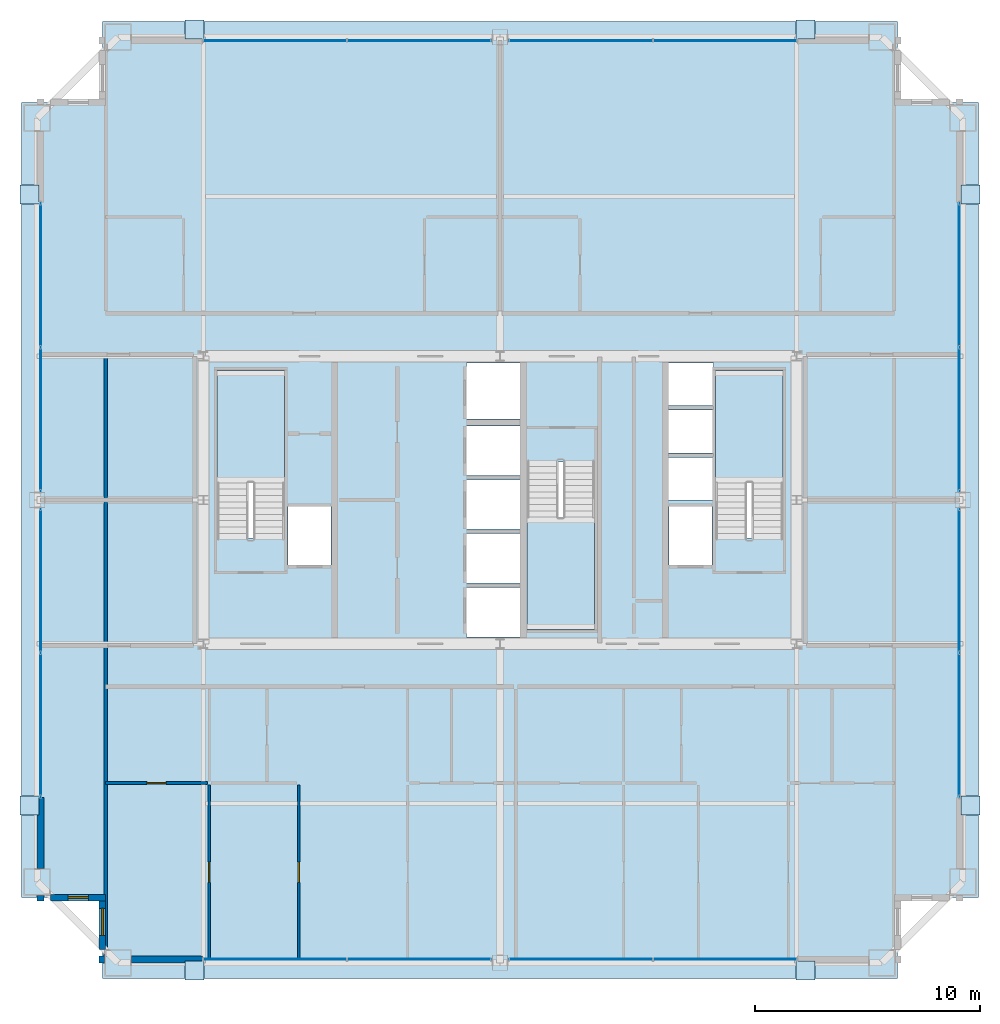
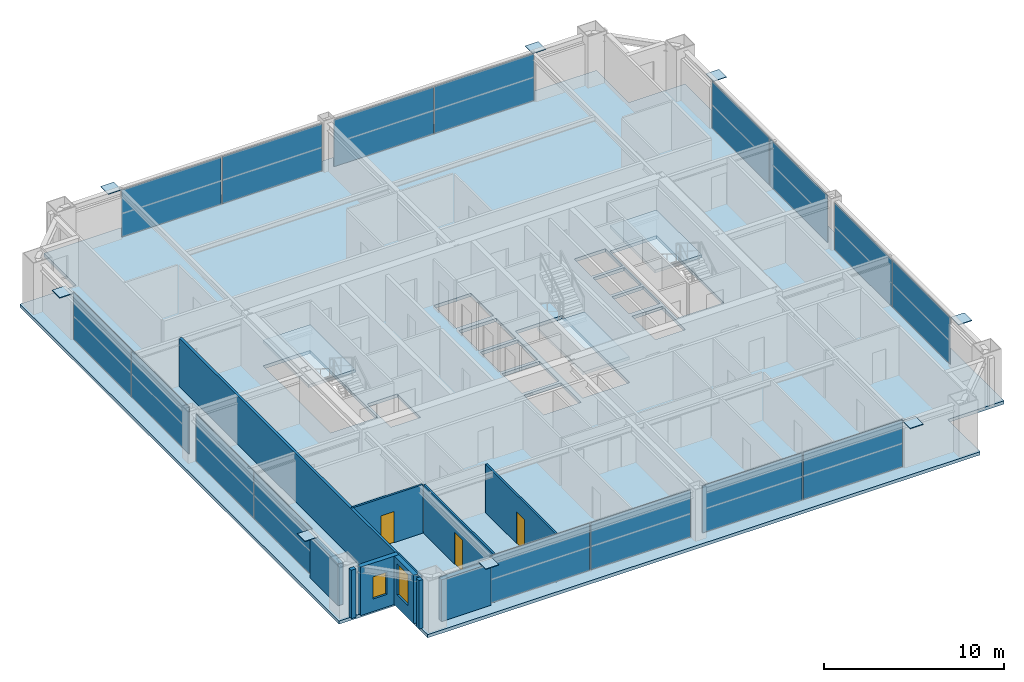
# One storey, part 31 of 36: 24 plates, 10 walls, 4 slabs, 3 doors, 2 windows, 5 openings, 11 elements without a shape of their own.
"""IFC4 building model written with IfcOpenShell, lengths in metres."""

from ifc_helpers import new_model, si_unit, direction, frame, frame_2d, origin, origin_2d, place, context, subcontext, project, spatial, polyline, rectangle, outline, extrude, source, transform, mapped, material, layer, layer_set, type_object, element, fill, aggregate, save


model = new_model("IFC4")

# Units and contexts
model_context = context("Model", 3, precision=1e-05, world=origin(), true_north=direction((0.0, 1.0)))
body_context = subcontext(model_context, "Body", "Model", "MODEL_VIEW")
ifc_project = project(units=[si_unit("LENGTHUNIT", "METRE"), si_unit("AREAUNIT", "SQUARE_METRE"), si_unit("VOLUMEUNIT", "CUBIC_METRE"), si_unit("PLANEANGLEUNIT", "RADIAN"), si_unit("MASSUNIT", "GRAM", prefix="KILO"), si_unit("THERMODYNAMICTEMPERATUREUNIT", "KELVIN"), si_unit("POWERUNIT", "WATT")], contexts=[model_context])

# Site, building, storey
site_placement = place(None, origin())
site = spatial("IfcSite", under=ifc_project, at=site_placement, CompositionType="ELEMENT")
building_placement = place(site_placement, origin())
building = spatial("IfcBuilding", under=site, at=building_placement, Name="Yuzanri Waterfront Tower", CompositionType="ELEMENT")
storey_placement = place(building_placement, frame((0.0, 0.0, 231.10009765625)))
storey = spatial("IfcBuildingStorey", under=building, at=storey_placement, Name="L61", CompositionType="ELEMENT", Elevation=231.10009765625)

# Stair, slab
ifc_material_1 = material(Name="Concrete C40", Category="concrete")
stair_type = type_object("IfcStairType", Name="Concrete C40 Core Dogleg Exit Stair", PredefinedType="HALF_TURN_STAIR", material=ifc_material_1)
stair_1_placement = place(storey_placement, origin())
stair_1 = element("IfcStair", 1, at=stair_1_placement, inside=storey, type_object=stair_type, Name="L61 Smoke-Proof Core Stair ST-01", PredefinedType="HALF_TURN_STAIR")
ifc_material_2 = material(Name="Concrete C40", Category="concrete")
ifc_layer_1 = layer(ifc_material_2, 0.179931640625)
ifc_layer_set_1 = layer_set([ifc_layer_1], Name="Concrete C40")
slab_type_1 = type_object("IfcSlabType", Name="Concrete C40 Stair Half-Landing Slab 180", PredefinedType="LANDING", material=ifc_layer_set_1)
slab_1_placement = place(storey_placement, frame((0.0, 0.0, 1.5498046875)))
slab_1 = element("IfcSlab", 2, at=slab_1_placement, type_object=slab_type_1, Name="ST-01 landing 1", PredefinedType="LANDING", context=body_context, shape_type="SweptSolid", body=[
    extrude(outline(polyline([(27.39990234375, 26.56005859375), (27.39990234375, 31.580078125), (24.39990234375, 31.580078125), (24.39990234375, 26.56005859375), (27.39990234375, 26.56005859375)])), origin(), (0.0, 0.0, 1.0), 0.2001953125),
])
aggregate(stair_1, [slab_1])

stair_2_placement = place(storey_placement, origin())
stair_2 = element("IfcStair", 3, at=stair_2_placement, inside=storey, type_object=stair_type, Name="L61 Smoke-Proof Core Stair ST-02", PredefinedType="HALF_TURN_STAIR")
slab_2_placement = place(storey_placement, frame((0.0, 0.0, 1.5498046875)))
slab_2 = element("IfcSlab", 4, at=slab_2_placement, type_object=slab_type_1, Name="ST-02 landing 1", PredefinedType="LANDING", context=body_context, shape_type="SweptSolid", body=[
    extrude(outline(polyline([(49.60009765625, 26.56005859375), (49.60009765625, 31.580078125), (46.60009765625, 31.580078125), (46.60009765625, 26.56005859375), (49.60009765625, 26.56005859375)])), origin(), (0.0, 0.0, 1.0), 0.2001953125),
])
aggregate(stair_2, [slab_2])

stair_3_placement = place(storey_placement, origin())
stair_3 = element("IfcStair", 5, at=stair_3_placement, inside=storey, type_object=stair_type, Name="L61 Smoke-Proof Core Stair ST-03", PredefinedType="HALF_TURN_STAIR")
slab_3_placement = place(storey_placement, frame((0.0, 0.0, 1.5498046875)))
slab_3 = element("IfcSlab", 6, at=slab_3_placement, type_object=slab_type_1, Name="ST-03 landing 1", PredefinedType="LANDING", context=body_context, shape_type="SweptSolid", body=[
    extrude(outline(polyline([(38.199951171875, 25.0400390625), (38.199951171875, 20.02001953125), (41.199951171875, 20.02001953125), (41.199951171875, 25.0400390625), (38.199951171875, 25.0400390625)])), origin(), (0.0, 0.0, 1.0), 0.2001953125),
])
aggregate(stair_3, [slab_3])

# Slab
ifc_material_3 = material(Name="Concrete C40", Category="concrete")
ifc_layer_2 = layer(ifc_material_3, 0.219970703125)
ifc_layer_set_2 = layer_set([ifc_layer_2], Name="Concrete C40")
slab_type_2 = type_object("IfcSlabType", Name="Concrete C40 Tower Typical Structural Floor Slab 220", PredefinedType="FLOOR", material=ifc_layer_set_2)
slab_4_placement = place(storey_placement, frame((0.0, 0.0, -0.22021484375)))
element("IfcSlab", 7, at=slab_4_placement, inside=storey, type_object=slab_type_2, Name="L61 Main Structural Floor Slab", PredefinedType="FLOOR", context=body_context, shape_type="SweptSolid", body=[
    extrude(outline(polyline([(19.300048828125, 4.5), (54.699951171875, 4.5), (54.699951171875, 8.10009765625), (58.300048828125, 8.10009765625), (58.300048828125, 43.5), (54.699951171875, 43.5), (54.699951171875, 47.10009765625), (19.300048828125, 47.10009765625), (19.300048828125, 43.5), (15.699951171875, 43.5), (15.699951171875, 8.10009765625), (19.300048828125, 8.10009765625), (19.300048828125, 4.5)]), holes=[polyline([(27.39990234375, 24.10009765625), (27.39990234375, 31.580078125), (24.39990234375, 31.580078125), (24.39990234375, 24.10009765625), (27.39990234375, 24.10009765625)]), polyline([(49.60009765625, 24.10009765625), (49.60009765625, 31.580078125), (46.60009765625, 31.580078125), (46.60009765625, 24.10009765625), (49.60009765625, 24.10009765625)]), polyline([(38.199951171875, 27.5), (38.199951171875, 20.02001953125), (41.199951171875, 20.02001953125), (41.199951171875, 27.5), (38.199951171875, 27.5)]), polyline([(27.56005859375, 22.89990234375), (29.47998046875, 22.89990234375), (29.47998046875, 25.5), (27.56005859375, 25.5), (27.56005859375, 22.89990234375)]), polyline([(44.52001953125, 22.89990234375), (46.43994140625, 22.89990234375), (46.43994140625, 25.5), (44.52001953125, 25.5), (44.52001953125, 22.89990234375)]), polyline([(35.5, 19.699951171875), (37.89990234375, 19.699951171875), (37.89990234375, 21.89990234375), (35.5, 21.89990234375), (35.5, 19.699951171875)]), polyline([(35.5, 22.10009765625), (37.89990234375, 22.10009765625), (37.89990234375, 24.300048828125), (35.5, 24.300048828125), (35.5, 22.10009765625)]), polyline([(35.5, 24.5), (37.89990234375, 24.5), (37.89990234375, 26.699951171875), (35.5, 26.699951171875), (35.5, 24.5)]), polyline([(35.5, 26.89990234375), (37.89990234375, 26.89990234375), (37.89990234375, 29.10009765625), (35.5, 29.10009765625), (35.5, 26.89990234375)]), polyline([(35.5, 29.39990234375), (37.89990234375, 29.39990234375), (37.89990234375, 31.89990234375), (35.5, 31.89990234375), (35.5, 29.39990234375)]), polyline([(44.5, 25.800048828125), (46.5, 25.800048828125), (46.5, 27.699951171875), (44.5, 27.699951171875), (44.5, 25.800048828125)]), polyline([(44.5, 27.89990234375), (46.5, 27.89990234375), (46.5, 29.800048828125), (44.5, 29.800048828125), (44.5, 27.89990234375)]), polyline([(44.5, 30.0), (46.5, 30.0), (46.5, 31.89990234375), (44.5, 31.89990234375), (44.5, 30.0)])]), origin(), (0.0, 0.0, 1.0), 0.22021484375),
])

# Plates
ifc_material_4 = material(Name="Steel Q420GJC", Category="steel")
ifc_layer_3 = layer(ifc_material_4, 0.0400390625)
ifc_layer_set_3 = layer_set([ifc_layer_3], Name="Steel Q420GJC")
plate_type_1 = type_object("IfcPlateType", Name="Steel Q420GJC Mega-Brace Gusset and End-Cap Plate 40", PredefinedType="SHEET", material=ifc_layer_set_3)
shared_shape_1 = source(origin(), body_context, "Body", "SweptSolid", [
    extrude(rectangle(XDim=0.85009765625, YDim=0.85009765625, at=origin_2d()), origin(), (0.0, 0.0, 1.0), 0.0400390625),
])
for number, where, z_axis, x_axis, name in (
    (8, (23.39990234375, 4.860107421875, 3.159912109375), (0.0, 0.0, 1.0), (1.0, 0.0, 0.0), "L61 Mega-Brace Apex Cap Plate S-L"),
    (9, (50.60009765625, 4.860107421875, 3.159912109375), (0.0, 0.0, 1.0), (1.0, 0.0, 0.0), "L61 Mega-Brace Apex Cap Plate S-R"),
    (10, (23.39990234375, 46.739990234375, 3.159912109375), (0.0, 0.0, 1.0), (1.0, 0.0, 0.0), "L61 Mega-Brace Apex Cap Plate N-L"),
    (11, (50.60009765625, 46.739990234375, 3.159912109375), (0.0, 0.0, 1.0), (1.0, 0.0, 0.0), "L61 Mega-Brace Apex Cap Plate N-R"),
    (12, (16.06005859375, 12.199951171875, 3.159912109375), (0.0, 0.0, 1.0), (1.0, 0.0, 0.0), "L61 Mega-Brace Apex Cap Plate W-L"),
    (13, (16.06005859375, 39.39990234375, 3.159912109375), (0.0, 0.0, 1.0), (1.0, 0.0, 0.0), "L61 Mega-Brace Apex Cap Plate W-R"),
    (14, (57.93994140625, 12.199951171875, 3.159912109375), (0.0, 0.0, 1.0), (1.0, 0.0, 0.0), "L61 Mega-Brace Apex Cap Plate E-L"),
    (15, (57.93994140625, 39.39990234375, 3.159912109375), (0.0, 0.0, 1.0), (1.0, 0.0, 0.0), "L61 Mega-Brace Apex Cap Plate E-R"),
):
    element("IfcPlate", number, at=place(storey_placement, frame(where, z_axis=z_axis, x_axis=x_axis)), inside=storey, type_object=plate_type_1, Name=name, PredefinedType="SHEET", context=body_context, shape_type="MappedRepresentation", body=[
        mapped(shared_shape_1, transform((0.0, 0.0, 0.0), scale=1.0)),
    ])

# Curtain wall, plates
ifc_material_5 = material(Name="Anodized Architectural Bronze", Category="metal")
ifc_layer_4 = layer(ifc_material_5, 0.159912109375)
ifc_layer_set_4 = layer_set([ifc_layer_4], Name="Anodized Architectural Bronze")
curtain_wall_type = type_object("IfcCurtainWallType", Name="Anodized Bronze Mid-Rise Residential Acoustic Unitized Curtain Wall 7200", PredefinedType="NOTDEFINED", material=ifc_layer_set_4)
curtain_wall_1_placement = place(storey_placement, origin())
curtain_wall_1 = element("IfcCurtainWall", 16, at=curtain_wall_1_placement, inside=storey, type_object=curtain_wall_type, Name="L61 Curtain Wall CW-L61-SL", PredefinedType="NOTDEFINED")
ifc_material_6 = material(Name="Triple Low-E Laminated Insulated Glass", Category="glass")
ifc_layer_5 = layer(ifc_material_6, 0.0439453125)
ifc_layer_set_5 = layer_set([ifc_layer_5], Name="Triple Low-E Laminated Insulated Glass")
plate_type_2 = type_object("IfcPlateType", Name="Triple Glazed Acoustic Vision Glass Panel 44", PredefinedType="CURTAIN_PANEL", material=ifc_layer_set_5)
shared_shape_2 = source(origin(), body_context, "Body", "SweptSolid", [
    extrude(rectangle(XDim=6.3701171875, YDim=0.0439453125, at=origin_2d()), origin(), (0.0, 0.0, 1.0), 3.179931640625),
])
plate_1_placement = place(storey_placement, frame((26.97509765625, 5.35009765625, 0.0498046875), z_axis=(0.0, 0.0, 1.0), x_axis=(1.0, 0.0, 0.0)))
plate_1 = element("IfcPlate", 17, at=plate_1_placement, type_object=plate_type_2, Name="CW-L61-SL Vision Glass Panel 01", PredefinedType="CURTAIN_PANEL", context=body_context, shape_type="MappedRepresentation", body=[
    mapped(shared_shape_2, transform((0.0, 0.0, 0.0), scale=1.0)),
])
plate_2_placement = place(storey_placement, frame((33.425048828125, 5.35009765625, 0.0498046875), z_axis=(0.0, 0.0, 1.0), x_axis=(1.0, 0.0, 0.0)))
plate_2 = element("IfcPlate", 18, at=plate_2_placement, type_object=plate_type_2, Name="CW-L61-SL Vision Glass Panel 02", PredefinedType="CURTAIN_PANEL", context=body_context, shape_type="MappedRepresentation", body=[
    mapped(shared_shape_2, transform((0.0, 0.0, 0.0), scale=1.0)),
])
aggregate(curtain_wall_1, [plate_1, plate_2])

curtain_wall_2_placement = place(storey_placement, origin())
curtain_wall_2 = element("IfcCurtainWall", 19, at=curtain_wall_2_placement, inside=storey, type_object=curtain_wall_type, Name="L61 Curtain Wall CW-L61-SR", PredefinedType="NOTDEFINED")
plate_3_placement = place(storey_placement, frame((40.574951171875, 5.35009765625, 0.0498046875), z_axis=(0.0, 0.0, 1.0), x_axis=(1.0, 0.0, 0.0)))
plate_3 = element("IfcPlate", 20, at=plate_3_placement, type_object=plate_type_2, Name="CW-L61-SR Vision Glass Panel 01", PredefinedType="CURTAIN_PANEL", context=body_context, shape_type="MappedRepresentation", body=[
    mapped(shared_shape_2, transform((0.0, 0.0, 0.0), scale=1.0)),
])
plate_4_placement = place(storey_placement, frame((47.02490234375, 5.35009765625, 0.0498046875), z_axis=(0.0, 0.0, 1.0), x_axis=(1.0, 0.0, 0.0)))
plate_4 = element("IfcPlate", 21, at=plate_4_placement, type_object=plate_type_2, Name="CW-L61-SR Vision Glass Panel 02", PredefinedType="CURTAIN_PANEL", context=body_context, shape_type="MappedRepresentation", body=[
    mapped(shared_shape_2, transform((0.0, 0.0, 0.0), scale=1.0)),
])
aggregate(curtain_wall_2, [plate_3, plate_4])

curtain_wall_3_placement = place(storey_placement, origin())
curtain_wall_3 = element("IfcCurtainWall", 22, at=curtain_wall_3_placement, inside=storey, type_object=curtain_wall_type, Name="L61 Curtain Wall CW-L61-NL", PredefinedType="NOTDEFINED")
plate_5_placement = place(storey_placement, frame((26.97509765625, 46.25, 0.0498046875), z_axis=(0.0, 0.0, 1.0), x_axis=(1.0, 0.0, 0.0)))
plate_5 = element("IfcPlate", 23, at=plate_5_placement, type_object=plate_type_2, Name="CW-L61-NL Vision Glass Panel 01", PredefinedType="CURTAIN_PANEL", context=body_context, shape_type="MappedRepresentation", body=[
    mapped(shared_shape_2, transform((0.0, 0.0, 0.0), scale=1.0)),
])
plate_6_placement = place(storey_placement, frame((33.425048828125, 46.25, 0.0498046875), z_axis=(0.0, 0.0, 1.0), x_axis=(1.0, 0.0, 0.0)))
plate_6 = element("IfcPlate", 24, at=plate_6_placement, type_object=plate_type_2, Name="CW-L61-NL Vision Glass Panel 02", PredefinedType="CURTAIN_PANEL", context=body_context, shape_type="MappedRepresentation", body=[
    mapped(shared_shape_2, transform((0.0, 0.0, 0.0), scale=1.0)),
])
aggregate(curtain_wall_3, [plate_5, plate_6])

curtain_wall_4_placement = place(storey_placement, origin())
curtain_wall_4 = element("IfcCurtainWall", 25, at=curtain_wall_4_placement, inside=storey, type_object=curtain_wall_type, Name="L61 Curtain Wall CW-L61-NR", PredefinedType="NOTDEFINED")
plate_7_placement = place(storey_placement, frame((40.574951171875, 46.25, 0.0498046875), z_axis=(0.0, 0.0, 1.0), x_axis=(1.0, 0.0, 0.0)))
plate_7 = element("IfcPlate", 26, at=plate_7_placement, type_object=plate_type_2, Name="CW-L61-NR Vision Glass Panel 01", PredefinedType="CURTAIN_PANEL", context=body_context, shape_type="MappedRepresentation", body=[
    mapped(shared_shape_2, transform((0.0, 0.0, 0.0), scale=1.0)),
])
plate_8_placement = place(storey_placement, frame((47.02490234375, 46.25, 0.0498046875), z_axis=(0.0, 0.0, 1.0), x_axis=(1.0, 0.0, 0.0)))
plate_8 = element("IfcPlate", 27, at=plate_8_placement, type_object=plate_type_2, Name="CW-L61-NR Vision Glass Panel 02", PredefinedType="CURTAIN_PANEL", context=body_context, shape_type="MappedRepresentation", body=[
    mapped(shared_shape_2, transform((0.0, 0.0, 0.0), scale=1.0)),
])
aggregate(curtain_wall_4, [plate_7, plate_8])

curtain_wall_5_placement = place(storey_placement, origin())
curtain_wall_5 = element("IfcCurtainWall", 28, at=curtain_wall_5_placement, inside=storey, type_object=curtain_wall_type, Name="L61 Curtain Wall CW-L61-WL", PredefinedType="NOTDEFINED")
plate_9_placement = place(storey_placement, frame((16.550048828125, 15.77490234375, 0.0498046875), z_axis=(0.0, 0.0, 1.0), x_axis=(0.0, 1.0, 0.0)))
plate_9 = element("IfcPlate", 29, at=plate_9_placement, type_object=plate_type_2, Name="CW-L61-WL Vision Glass Panel 01", PredefinedType="CURTAIN_PANEL", context=body_context, shape_type="MappedRepresentation", body=[
    mapped(shared_shape_2, transform((0.0, 0.0, 0.0), scale=1.0)),
])
plate_10_placement = place(storey_placement, frame((16.550048828125, 22.22509765625, 0.0498046875), z_axis=(0.0, 0.0, 1.0), x_axis=(0.0, 1.0, 0.0)))
plate_10 = element("IfcPlate", 30, at=plate_10_placement, type_object=plate_type_2, Name="CW-L61-WL Vision Glass Panel 02", PredefinedType="CURTAIN_PANEL", context=body_context, shape_type="MappedRepresentation", body=[
    mapped(shared_shape_2, transform((0.0, 0.0, 0.0), scale=1.0)),
])
aggregate(curtain_wall_5, [plate_9, plate_10])

curtain_wall_6_placement = place(storey_placement, origin())
curtain_wall_6 = element("IfcCurtainWall", 31, at=curtain_wall_6_placement, inside=storey, type_object=curtain_wall_type, Name="L61 Curtain Wall CW-L61-WR", PredefinedType="NOTDEFINED")
plate_11_placement = place(storey_placement, frame((16.550048828125, 29.375, 0.0498046875), z_axis=(0.0, 0.0, 1.0), x_axis=(0.0, 1.0, 0.0)))
plate_11 = element("IfcPlate", 32, at=plate_11_placement, type_object=plate_type_2, Name="CW-L61-WR Vision Glass Panel 01", PredefinedType="CURTAIN_PANEL", context=body_context, shape_type="MappedRepresentation", body=[
    mapped(shared_shape_2, transform((0.0, 0.0, 0.0), scale=1.0)),
])
plate_12_placement = place(storey_placement, frame((16.550048828125, 35.824951171875, 0.0498046875), z_axis=(0.0, 0.0, 1.0), x_axis=(0.0, 1.0, 0.0)))
plate_12 = element("IfcPlate", 33, at=plate_12_placement, type_object=plate_type_2, Name="CW-L61-WR Vision Glass Panel 02", PredefinedType="CURTAIN_PANEL", context=body_context, shape_type="MappedRepresentation", body=[
    mapped(shared_shape_2, transform((0.0, 0.0, 0.0), scale=1.0)),
])
aggregate(curtain_wall_6, [plate_11, plate_12])

curtain_wall_7_placement = place(storey_placement, origin())
curtain_wall_7 = element("IfcCurtainWall", 34, at=curtain_wall_7_placement, inside=storey, type_object=curtain_wall_type, Name="L61 Curtain Wall CW-L61-EL", PredefinedType="NOTDEFINED")
plate_13_placement = place(storey_placement, frame((57.449951171875, 15.77490234375, 0.0498046875), z_axis=(0.0, 0.0, 1.0), x_axis=(0.0, 1.0, 0.0)))
plate_13 = element("IfcPlate", 35, at=plate_13_placement, type_object=plate_type_2, Name="CW-L61-EL Vision Glass Panel 01", PredefinedType="CURTAIN_PANEL", context=body_context, shape_type="MappedRepresentation", body=[
    mapped(shared_shape_2, transform((0.0, 0.0, 0.0), scale=1.0)),
])
plate_14_placement = place(storey_placement, frame((57.449951171875, 22.22509765625, 0.0498046875), z_axis=(0.0, 0.0, 1.0), x_axis=(0.0, 1.0, 0.0)))
plate_14 = element("IfcPlate", 36, at=plate_14_placement, type_object=plate_type_2, Name="CW-L61-EL Vision Glass Panel 02", PredefinedType="CURTAIN_PANEL", context=body_context, shape_type="MappedRepresentation", body=[
    mapped(shared_shape_2, transform((0.0, 0.0, 0.0), scale=1.0)),
])
aggregate(curtain_wall_7, [plate_13, plate_14])

curtain_wall_8_placement = place(storey_placement, origin())
curtain_wall_8 = element("IfcCurtainWall", 37, at=curtain_wall_8_placement, inside=storey, type_object=curtain_wall_type, Name="L61 Curtain Wall CW-L61-ER", PredefinedType="NOTDEFINED")
plate_15_placement = place(storey_placement, frame((57.449951171875, 29.375, 0.0498046875), z_axis=(0.0, 0.0, 1.0), x_axis=(0.0, 1.0, 0.0)))
plate_15 = element("IfcPlate", 38, at=plate_15_placement, type_object=plate_type_2, Name="CW-L61-ER Vision Glass Panel 01", PredefinedType="CURTAIN_PANEL", context=body_context, shape_type="MappedRepresentation", body=[
    mapped(shared_shape_2, transform((0.0, 0.0, 0.0), scale=1.0)),
])
plate_16_placement = place(storey_placement, frame((57.449951171875, 35.824951171875, 0.0498046875), z_axis=(0.0, 0.0, 1.0), x_axis=(0.0, 1.0, 0.0)))
plate_16 = element("IfcPlate", 39, at=plate_16_placement, type_object=plate_type_2, Name="CW-L61-ER Vision Glass Panel 02", PredefinedType="CURTAIN_PANEL", context=body_context, shape_type="MappedRepresentation", body=[
    mapped(shared_shape_2, transform((0.0, 0.0, 0.0), scale=1.0)),
])
aggregate(curtain_wall_8, [plate_15, plate_16])

# Wall, opening, door
ifc_material_7 = material(Name="Moisture-Resistant Gypsum Stud Wall", Category="gypsum")
ifc_layer_6 = layer(ifc_material_7, 0.1201171875)
ifc_layer_set_6 = layer_set([ifc_layer_6], Name="Moisture-Resistant Gypsum Stud Wall")
wall_type_1 = type_object("IfcWallType", Name="Bathroom and Kitchen Wet Partition 120", PredefinedType="PARTITIONING", material=ifc_layer_set_6)
wall_1_placement = place(storey_placement, frame((19.43994140625, 13.199951171875, 0.0), z_axis=(0.0, 0.0, 1.0), x_axis=(1.0, 0.0, 0.0)))
wall_1 = element("IfcWall", 40, at=wall_1_placement, inside=storey, type_object=wall_type_1, Name="L61 Partition UW-L61-RS1-SUB-1-S", PredefinedType="PARTITIONING", context=body_context, shape_type="SweptSolid", body=[
    extrude(rectangle(XDim=4.545166015625, YDim=0.1201171875, at=frame_2d((2.2724609375, 0.0))), origin(), (0.0, 0.0, 1.0), 3.27978515625),
])
opening_1_placement = place(wall_1_placement, frame((1.847412109375, 0.0, 0.0)))
opening_1 = element("IfcOpeningElement", 41, at=opening_1_placement, cuts=wall_1, Name="Opening ID-0850", PredefinedType="OPENING", context=body_context, shape_type="SweptSolid", body=[
    extrude(rectangle(XDim=0.85009765625, YDim=2.10009765625, at=frame_2d((0.425048828125, 1.050048828125))), frame((0.0, 0.074951171875, 0.0), z_axis=(0.0, -1.0, 0.0), x_axis=(1.0, 0.0, 0.0)), (0.0, 0.0, 1.0), 0.14990234375),
])
ifc_material_8 = material(Name="Moisture-Resistant Lacquered Timber", Category="wood")
door_type_1 = type_object("IfcDoorType", Name="En-Suite Bathroom and Kitchen Swing Door 850x2100", OperationType="NOTDEFINED", PredefinedType="DOOR", material=ifc_material_8)
shared_shape_3 = source(origin(), body_context, "Body", "SweptSolid", [
    extrude(rectangle(XDim=0.85009765625, YDim=2.10009765625, at=frame_2d((0.425048828125, 1.050048828125))), frame((0.0, 0.02490234375, 0.0), z_axis=(0.0, -1.0, 0.0), x_axis=(1.0, 0.0, 0.0)), (0.0, 0.0, 1.0), 0.050048828125),
])
door_1_placement = place(opening_1_placement, origin())
door_1 = element("IfcDoor", 42, at=door_1_placement, inside=storey, type_object=door_type_1, Name="L61 Suite Interior Room Door", OperationType="SINGLE_SWING_LEFT", OverallHeight=2.10009765625, OverallWidth=0.85009765625, PredefinedType="DOOR", context=body_context, shape_type="MappedRepresentation", body=[
    mapped(shared_shape_3, transform((0.0, 0.0, 0.0), scale=1.0)),
])
fill(opening_1, door_1)

wall_2_placement = place(storey_placement, frame((24.06494140625, 5.35009765625, 0.0), z_axis=(0.0, 0.0, 1.0), x_axis=(0.0, 1.0, 0.0)))
wall_2 = element("IfcWall", 43, at=wall_2_placement, inside=storey, type_object=wall_type_1, Name="L61 Partition UW-L61-RS1-SUB-5-E", PredefinedType="PARTITIONING", context=body_context, shape_type="SweptSolid", body=[
    extrude(rectangle(XDim=7.77001953125, YDim=0.1201171875, at=frame_2d((3.885009765625, 0.0))), origin(), (0.0, 0.0, 1.0), 3.27978515625),
])
opening_2_placement = place(wall_2_placement, frame((3.43505859375, 0.0, 0.0)))
opening_2 = element("IfcOpeningElement", 44, at=opening_2_placement, cuts=wall_2, Name="Opening ID-0900", PredefinedType="OPENING", context=body_context, shape_type="SweptSolid", body=[
    extrude(rectangle(XDim=0.89990234375, YDim=2.14990234375, at=frame_2d((0.449951171875, 1.074951171875))), frame((0.0, 0.074951171875, 0.0), z_axis=(0.0, -1.0, 0.0), x_axis=(1.0, 0.0, 0.0)), (0.0, 0.0, 1.0), 0.14990234375),
])
ifc_material_9 = material(Name="Stained Walnut Veneer Timber", Category="wood")
door_type_2 = type_object("IfcDoorType", Name="Bedroom and Study Interior Swing Door 900x2150", OperationType="NOTDEFINED", PredefinedType="DOOR", material=ifc_material_9)
shared_shape_4 = source(origin(), body_context, "Body", "SweptSolid", [
    extrude(rectangle(XDim=0.89990234375, YDim=2.14990234375, at=frame_2d((0.449951171875, 1.074951171875))), frame((0.0, 0.02490234375, 0.0), z_axis=(0.0, -1.0, 0.0), x_axis=(1.0, 0.0, 0.0)), (0.0, 0.0, 1.0), 0.050048828125),
])
door_2_placement = place(opening_2_placement, origin())
door_2 = element("IfcDoor", 45, at=door_2_placement, inside=storey, type_object=door_type_2, Name="L61 Suite Interior Room Door", OperationType="SINGLE_SWING_LEFT", OverallHeight=2.14990234375, OverallWidth=0.89990234375, PredefinedType="DOOR", context=body_context, shape_type="MappedRepresentation", body=[
    mapped(shared_shape_4, transform((0.0, 0.0, 0.0), scale=1.0)),
])
fill(opening_2, door_2)

wall_3_placement = place(storey_placement, frame((28.0400390625, 5.35009765625, 0.0), z_axis=(0.0, 0.0, 1.0), x_axis=(0.0, 1.0, 0.0)))
wall_3 = element("IfcWall", 46, at=wall_3_placement, inside=storey, type_object=wall_type_1, Name="L61 Partition UW-L61-RS1-SUB-7-E", PredefinedType="PARTITIONING", context=body_context, shape_type="SweptSolid", body=[
    extrude(rectangle(XDim=7.77001953125, YDim=0.1201171875, at=frame_2d((3.885009765625, 0.0))), origin(), (0.0, 0.0, 1.0), 3.27978515625),
])
opening_3_placement = place(wall_3_placement, frame((3.43505859375, 0.0, 0.0)))
opening_3 = element("IfcOpeningElement", 47, at=opening_3_placement, cuts=wall_3, Name="Opening ID-0900", PredefinedType="OPENING", context=body_context, shape_type="SweptSolid", body=[
    extrude(rectangle(XDim=0.89990234375, YDim=2.14990234375, at=frame_2d((0.449951171875, 1.074951171875))), frame((0.0, 0.074951171875, 0.0), z_axis=(0.0, -1.0, 0.0), x_axis=(1.0, 0.0, 0.0)), (0.0, 0.0, 1.0), 0.14990234375),
])
door_3_placement = place(opening_3_placement, origin())
door_3 = element("IfcDoor", 48, at=door_3_placement, inside=storey, type_object=door_type_2, Name="L61 Suite Interior Room Door", OperationType="SINGLE_SWING_LEFT", OverallHeight=2.14990234375, OverallWidth=0.89990234375, PredefinedType="DOOR", context=body_context, shape_type="MappedRepresentation", body=[
    mapped(shared_shape_4, transform((0.0, 0.0, 0.0), scale=1.0)),
])
fill(opening_3, door_3)

# Wall, opening, window
ifc_material_10 = material(Name="Honed Chongqing Dark Basalt Stone", Category="masonry")
ifc_layer_7 = layer(ifc_material_10, 0.300048828125)
ifc_layer_set_7 = layer_set([ifc_layer_7], Name="Honed Chongqing Dark Basalt Stone")
wall_type_2 = type_object("IfcWallType", Name="Bronze Rainscreen Insulated Spandrel Portal Wall 300", PredefinedType="SOLIDWALL", material=ifc_layer_set_7)
wall_4_placement = place(storey_placement, frame((17.0, 8.10009765625, 0.0), z_axis=(0.0, 0.0, 1.0), x_axis=(1.0, 0.0, 0.0)))
wall_4 = element("IfcWall", 49, at=wall_4_placement, inside=storey, type_object=wall_type_2, Name="L61 Notched Corner Masonry Wall SW-X", PredefinedType="SOLIDWALL", context=body_context, shape_type="SweptSolid", body=[
    extrude(rectangle(XDim=2.449951171875, YDim=0.300048828125, at=frame_2d((1.22509765625, 0.0))), origin(), (0.0, 0.0, 1.0), 3.27978515625),
])
opening_4_placement = place(wall_4_placement, frame((0.77490234375, 0.0, 0.85009765625)))
opening_4 = element("IfcOpeningElement", 50, at=opening_4_placement, cuts=wall_4, Name="Opening WN-05", PredefinedType="OPENING", context=body_context, shape_type="SweptSolid", body=[
    extrude(rectangle(XDim=0.89990234375, YDim=1.5, at=frame_2d((0.449951171875, 0.75))), frame((0.0, 0.1650390625, 0.0), z_axis=(0.0, -1.0, 0.0), x_axis=(1.0, 0.0, 0.0)), (0.0, 0.0, 1.0), 0.329833984375),
])
ifc_material_11 = material(Name="Double-Silver Low-E Insulated Glass", Category="glass")
window_type_1 = type_object("IfcWindowType", Name="Anodized Bronze Service and Stairwell Smoke-Vent Window 900x1500", PartitioningType="SINGLE_PANEL", PredefinedType="WINDOW", material=ifc_material_11)
shared_shape_5 = source(origin(), body_context, "Body", "SweptSolid", [
    extrude(rectangle(XDim=0.89990234375, YDim=1.5, at=frame_2d((0.449951171875, 0.75))), frame((0.0, 0.030029296875, 0.0), z_axis=(0.0, -1.0, 0.0), x_axis=(1.0, 0.0, 0.0)), (0.0, 0.0, 1.0), 0.06005859375),
])
window_1_placement = place(opening_4_placement, origin())
window_1 = element("IfcWindow", 51, at=window_1_placement, inside=storey, type_object=window_type_1, Name="L61 Notched Corner Window SW-X", OverallHeight=1.5, OverallWidth=0.89990234375, PartitioningType="SINGLE_PANEL", PredefinedType="WINDOW", context=body_context, shape_type="MappedRepresentation", body=[
    mapped(shared_shape_5, transform((0.0, 0.0, 0.0), scale=1.0)),
])
fill(opening_4, window_1)

wall_5_placement = place(storey_placement, frame((19.300048828125, 8.25, 0.0), z_axis=(0.0, 0.0, 1.0), x_axis=(0.0, -1.0, 0.0)))
wall_5 = element("IfcWall", 52, at=wall_5_placement, inside=storey, type_object=wall_type_2, Name="L61 Notched Corner Masonry Wall SW-Y", PredefinedType="SOLIDWALL", context=body_context, shape_type="SweptSolid", body=[
    extrude(rectangle(XDim=2.449951171875, YDim=0.300048828125, at=frame_2d((1.22509765625, 0.0))), origin(), (0.0, 0.0, 1.0), 3.27978515625),
])
opening_5_placement = place(wall_5_placement, frame((0.625, 0.0, 0.85009765625)))
opening_5 = element("IfcOpeningElement", 53, at=opening_5_placement, cuts=wall_5, Name="Opening WN-02", PredefinedType="OPENING", context=body_context, shape_type="SweptSolid", body=[
    extrude(rectangle(XDim=1.199951171875, YDim=2.10009765625, at=frame_2d((0.60009765625, 1.050048828125))), frame((0.0, 0.1650390625, 0.0), z_axis=(0.0, -1.0, 0.0), x_axis=(1.0, 0.0, 0.0)), (0.0, 0.0, 1.0), 0.329833984375),
])
ifc_material_12 = material(Name="Double-Silver Low-E Insulated Glass", Category="glass")
window_type_2 = type_object("IfcWindowType", Name="Anodized Bronze Notched Corner Deep-Set Slot Window 1200x2100", PartitioningType="SINGLE_PANEL", PredefinedType="WINDOW", material=ifc_material_12)
shared_shape_6 = source(origin(), body_context, "Body", "SweptSolid", [
    extrude(rectangle(XDim=1.199951171875, YDim=2.10009765625, at=frame_2d((0.60009765625, 1.050048828125))), frame((0.0, 0.030029296875, 0.0), z_axis=(0.0, -1.0, 0.0), x_axis=(1.0, 0.0, 0.0)), (0.0, 0.0, 1.0), 0.06005859375),
])
window_2_placement = place(opening_5_placement, origin())
window_2 = element("IfcWindow", 54, at=window_2_placement, inside=storey, type_object=window_type_2, Name="L61 Notched Corner Window SW-Y", OverallHeight=2.10009765625, OverallWidth=1.199951171875, PartitioningType="SINGLE_PANEL", PredefinedType="WINDOW", context=body_context, shape_type="MappedRepresentation", body=[
    mapped(shared_shape_6, transform((0.0, 0.0, 0.0), scale=1.0)),
])
fill(opening_5, window_2)

# Walls
shared_shape_7 = source(origin(), body_context, "Body", "SweptSolid", [
    extrude(rectangle(XDim=0.25, YDim=0.300048828125, at=frame_2d((0.125, 0.0))), origin(), (0.0, 0.0, 1.0), 3.27978515625),
])
for number, where, z_axis, x_axis, name in (
    (55, (19.14990234375, 5.35009765625, 0.0), (0.0, 0.0, 1.0), (1.0, 0.0, 0.0), "L61 Corner Column Shoulder Return CSW"),
    (56, (16.550048828125, 7.949951171875, 0.0), (0.0, 0.0, 1.0), (0.0, 1.0, 0.0), "L61 Corner Column Shoulder Return CWS"),
):
    element("IfcWall", number, at=place(storey_placement, frame(where, z_axis=z_axis, x_axis=x_axis)), inside=storey, type_object=wall_type_2, Name=name, PredefinedType="SOLIDWALL", context=body_context, shape_type="MappedRepresentation", body=[
        mapped(shared_shape_7, transform((0.0, 0.0, 0.0), scale=1.0)),
    ])
shared_shape_8 = source(origin(), body_context, "Body", "SweptSolid", [
    extrude(rectangle(XDim=3.14990234375, YDim=0.300048828125, at=frame_2d((1.574951171875, 0.0))), origin(), (0.0, 0.0, 1.0), 2.8349609375),
])
wall_6_placement = place(storey_placement, frame((20.60009765625, 5.35009765625, 0.0), z_axis=(0.0, 0.0, 1.0), x_axis=(1.0, 0.0, 0.0)))
element("IfcWall", 57, at=wall_6_placement, inside=storey, type_object=wall_type_2, Name="L61 S Left Braced Masonry Shoulder", PredefinedType="SOLIDWALL", context=body_context, shape_type="MappedRepresentation", body=[
    mapped(shared_shape_8, transform((0.0, 0.0, 0.0), scale=1.0)),
])
shared_shape_9 = source(origin(), body_context, "Body", "SweptSolid", [
    extrude(rectangle(XDim=3.150146484375, YDim=0.300048828125, at=frame_2d((1.5751953125, 0.0))), origin(), (0.0, 0.0, 1.0), 2.8349609375),
])
wall_7_placement = place(storey_placement, frame((16.550048828125, 9.39990234375, 0.0), z_axis=(0.0, 0.0, 1.0), x_axis=(0.0, 1.0, 0.0)))
element("IfcWall", 58, at=wall_7_placement, inside=storey, type_object=wall_type_2, Name="L61 W Left Braced Masonry Shoulder", PredefinedType="SOLIDWALL", context=body_context, shape_type="MappedRepresentation", body=[
    mapped(shared_shape_9, transform((0.0, 0.0, 0.0), scale=1.0)),
])
ifc_material_13 = material(Name="Gypsum Fireboard Acoustic Stud Wall", Category="gypsum")
ifc_layer_8 = layer(ifc_material_13, 0.159912109375)
ifc_layer_set_8 = layer_set([ifc_layer_8], Name="Gypsum Fireboard Acoustic Stud Wall")
wall_type_3 = type_object("IfcWallType", Name="Acoustic Suite Demising Partition 160", PredefinedType="PARTITIONING", material=ifc_layer_set_8)
shared_shape_10 = source(origin(), body_context, "Body", "SweptSolid", [
    extrude(rectangle(XDim=26.68994140625, YDim=0.159912109375, at=frame_2d((13.344970703125, 0.0))), origin(), (0.0, 0.0, 1.0), 3.27978515625),
])
wall_8_placement = place(storey_placement, frame((19.449951171875, 5.5, 0.0), z_axis=(0.0, 0.0, 1.0), x_axis=(0.0, 1.0, 0.0)))
element("IfcWall", 59, at=wall_8_placement, inside=storey, type_object=wall_type_3, Name="L61 South Band West End Wall", PredefinedType="PARTITIONING", context=body_context, shape_type="MappedRepresentation", body=[
    mapped(shared_shape_10, transform((0.0, 0.0, 0.0), scale=1.0)),
])

save(model, "model.ifc")
